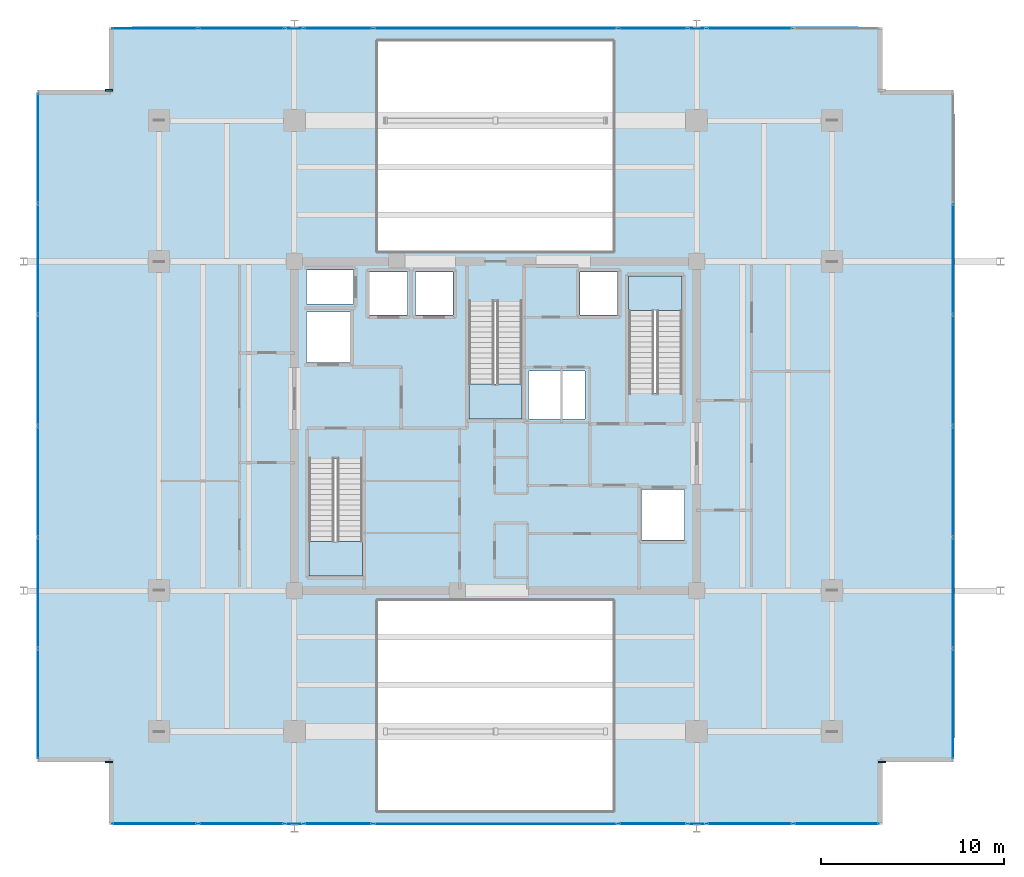
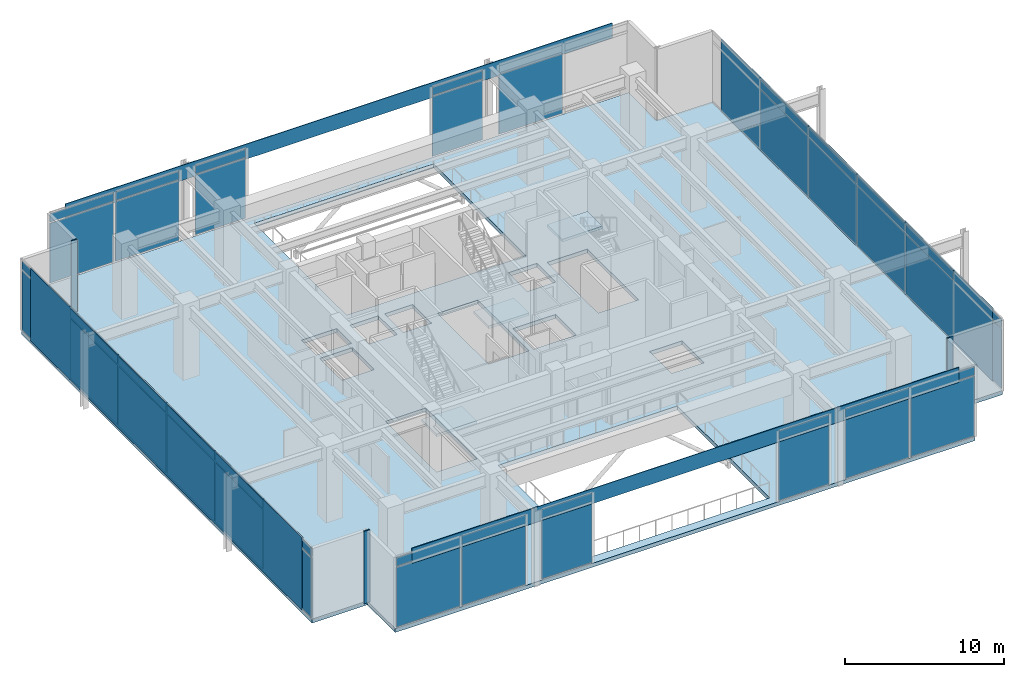
# One storey, part 18 of 25: 50 plates, 4 slabs, 13 elements without a shape of their own.
"""IFC4 building model written with IfcOpenShell, lengths in metres."""

from ifc_helpers import new_model, si_unit, direction, frame, origin, origin_2d, place, context, subcontext, project, spatial, polyline, rectangle, outline, extrude, material, layer, layer_set, type_object, element, aggregate, save


model = new_model("IFC4")

# Units and contexts
model_context = context("Model", 3, precision=1e-05, world=origin(), true_north=direction((0.0, 1.0)))
body_context = subcontext(model_context, "Body", "Model", "MODEL_VIEW")
ifc_project = project(units=[si_unit("LENGTHUNIT", "METRE"), si_unit("AREAUNIT", "SQUARE_METRE"), si_unit("VOLUMEUNIT", "CUBIC_METRE"), si_unit("PLANEANGLEUNIT", "RADIAN"), si_unit("MASSUNIT", "GRAM", prefix="KILO")], contexts=[model_context])

# Site, building, storey
site_placement = place(None, origin())
site = spatial("IfcSite", under=ifc_project, at=site_placement, CompositionType="ELEMENT")
building_placement = place(site_placement, origin())
building = spatial("IfcBuilding", under=site, at=building_placement, Name="Kovane Verandah Tower", CompositionType="ELEMENT")
storey_placement = place(building_placement, frame((0.0, 0.0, 295.199951171875)))
storey = spatial("IfcBuildingStorey", under=building, at=storey_placement, Name="L69", CompositionType="ELEMENT", Elevation=295.199951171875)

# Curtain wall, plates
ifc_material_1 = material(Name="Champagne Anodised Aluminium Frame with Low-E Clear Laminated Glass", Category="aluminium")
curtain_wall_type = type_object("IfcCurtainWallType", Name="CW-SYS-05-HIGH", PredefinedType="NOTDEFINED", material=ifc_material_1)
curtain_wall_1_placement = place(storey_placement, origin())
curtain_wall_1 = element("IfcCurtainWall", 1, at=curtain_wall_1_placement, inside=storey, type_object=curtain_wall_type, Name="L69 South-West Wind-Portal Curtain Wall 1", PredefinedType="NOTDEFINED")
ifc_material_2 = material(Name="Pale Champagne Anodised Aluminium Insulated Spandrel", Category="aluminium")
ifc_layer_1 = layer(ifc_material_2, 0.0400390625)
ifc_layer_set_1 = layer_set([ifc_layer_1], Name="Pale Champagne Anodised Aluminium Insulated Spandrel")
plate_type_1 = type_object("IfcPlateType", Name="PL-CW-SPD-40", PredefinedType="SHEET", material=ifc_layer_set_1)
plate_1_placement = place(storey_placement, frame((21.356689453125, 5.75830078125, 4.77001953125), z_axis=(0.0, 0.0, 1.0), x_axis=(1.0, 0.0, 0.0)))
plate_1 = element("IfcPlate", 2, at=plate_1_placement, type_object=plate_type_1, Name="L69 South-West Wind-Portal Curtain Wall 1 Spandrel Panel 1", PredefinedType="SHEET", context=body_context, shape_type="SweptSolid", body=[
    extrude(rectangle(XDim=4.60888671875, YDim=0.0400390625, at=origin_2d()), origin(), (0.0, 0.0, 1.0), 0.639892578125),
])
plate_2_placement = place(storey_placement, frame((26.10546875, 5.75830078125, 4.77001953125), z_axis=(0.0, 0.0, 1.0), x_axis=(1.0, 0.0, 0.0)))
plate_2 = element("IfcPlate", 3, at=plate_2_placement, type_object=plate_type_1, Name="L69 South-West Wind-Portal Curtain Wall 1 Spandrel Panel 2", PredefinedType="SHEET", context=body_context, shape_type="SweptSolid", body=[
    extrude(rectangle(XDim=4.60888671875, YDim=0.0400390625, at=origin_2d()), origin(), (0.0, 0.0, 1.0), 0.639892578125),
])

# Curtain wall, plate
curtain_wall_2_placement = place(storey_placement, origin())
curtain_wall_2 = element("IfcCurtainWall", 4, at=curtain_wall_2_placement, inside=storey, type_object=curtain_wall_type, Name="L69 South-West Wind-Portal Curtain Wall 2", PredefinedType="NOTDEFINED")
plate_3_placement = place(storey_placement, frame((31.409912109375, 5.75830078125, 4.77001953125), z_axis=(0.0, 0.0, 1.0), x_axis=(1.0, 0.0, 0.0)))
plate_3 = element("IfcPlate", 5, at=plate_3_placement, type_object=plate_type_1, Name="L69 South-West Wind-Portal Curtain Wall 2 Spandrel Panel 1", PredefinedType="SHEET", context=body_context, shape_type="SweptSolid", body=[
    extrude(rectangle(XDim=3.639892578125, YDim=0.0400390625, at=origin_2d()), origin(), (0.0, 0.0, 1.0), 0.639892578125),
])

curtain_wall_3_placement = place(storey_placement, origin())
curtain_wall_3 = element("IfcCurtainWall", 6, at=curtain_wall_3_placement, inside=storey, type_object=curtain_wall_type, Name="L69 South-East Wind-Portal Curtain Wall 1", PredefinedType="NOTDEFINED")
plate_4_placement = place(storey_placement, frame((48.590087890625, 5.75830078125, 4.77001953125), z_axis=(0.0, 0.0, 1.0), x_axis=(1.0, 0.0, 0.0)))
plate_4 = element("IfcPlate", 7, at=plate_4_placement, type_object=plate_type_1, Name="L69 South-East Wind-Portal Curtain Wall 1 Spandrel Panel 1", PredefinedType="SHEET", context=body_context, shape_type="SweptSolid", body=[
    extrude(rectangle(XDim=3.639892578125, YDim=0.0400390625, at=origin_2d()), origin(), (0.0, 0.0, 1.0), 0.639892578125),
])

# Curtain wall, plates
curtain_wall_4_placement = place(storey_placement, origin())
curtain_wall_4 = element("IfcCurtainWall", 8, at=curtain_wall_4_placement, inside=storey, type_object=curtain_wall_type, Name="L69 South-East Wind-Portal Curtain Wall 2", PredefinedType="NOTDEFINED")
plate_5_placement = place(storey_placement, frame((53.89453125, 5.75830078125, 4.77001953125), z_axis=(0.0, 0.0, 1.0), x_axis=(1.0, 0.0, 0.0)))
plate_5 = element("IfcPlate", 9, at=plate_5_placement, type_object=plate_type_1, Name="L69 South-East Wind-Portal Curtain Wall 2 Spandrel Panel 1", PredefinedType="SHEET", context=body_context, shape_type="SweptSolid", body=[
    extrude(rectangle(XDim=4.60888671875, YDim=0.0400390625, at=origin_2d()), origin(), (0.0, 0.0, 1.0), 0.639892578125),
])
plate_6_placement = place(storey_placement, frame((58.643310546875, 5.75830078125, 4.77001953125), z_axis=(0.0, 0.0, 1.0), x_axis=(1.0, 0.0, 0.0)))
plate_6 = element("IfcPlate", 10, at=plate_6_placement, type_object=plate_type_1, Name="L69 South-East Wind-Portal Curtain Wall 2 Spandrel Panel 2", PredefinedType="SHEET", context=body_context, shape_type="SweptSolid", body=[
    extrude(rectangle(XDim=4.60888671875, YDim=0.0400390625, at=origin_2d()), origin(), (0.0, 0.0, 1.0), 0.639892578125),
])

curtain_wall_5_placement = place(storey_placement, origin())
curtain_wall_5 = element("IfcCurtainWall", 11, at=curtain_wall_5_placement, inside=storey, type_object=curtain_wall_type, Name="L69 E Unitised Curtain Wall", PredefinedType="NOTDEFINED")
plate_7_placement = place(storey_placement, frame((65.017822265625, 12.298583984375, 4.77001953125), z_axis=(0.0, 0.0, 1.0), x_axis=(0.0, 1.0, 0.0)))
plate_7 = element("IfcPlate", 12, at=plate_7_placement, type_object=plate_type_1, Name="L69 E Unitised Curtain Wall Spandrel Panel 1", PredefinedType="SHEET", context=body_context, shape_type="SweptSolid", body=[
    extrude(rectangle(XDim=5.9404296875, YDim=0.0400390625, at=origin_2d()), origin(), (0.0, 0.0, 1.0), 0.639892578125),
])
plate_8_placement = place(storey_placement, frame((65.017822265625, 18.379150390625, 4.77001953125), z_axis=(0.0, 0.0, 1.0), x_axis=(0.0, 1.0, 0.0)))
plate_8 = element("IfcPlate", 13, at=plate_8_placement, type_object=plate_type_1, Name="L69 E Unitised Curtain Wall Spandrel Panel 2", PredefinedType="SHEET", context=body_context, shape_type="SweptSolid", body=[
    extrude(rectangle(XDim=5.9404296875, YDim=0.0400390625, at=origin_2d()), origin(), (0.0, 0.0, 1.0), 0.639892578125),
])
plate_9_placement = place(storey_placement, frame((65.017822265625, 24.459716796875, 4.77001953125), z_axis=(0.0, 0.0, 1.0), x_axis=(0.0, 1.0, 0.0)))
plate_9 = element("IfcPlate", 14, at=plate_9_placement, type_object=plate_type_1, Name="L69 E Unitised Curtain Wall Spandrel Panel 3", PredefinedType="SHEET", context=body_context, shape_type="SweptSolid", body=[
    extrude(rectangle(XDim=5.9404296875, YDim=0.0400390625, at=origin_2d()), origin(), (0.0, 0.0, 1.0), 0.639892578125),
])
plate_10_placement = place(storey_placement, frame((65.017822265625, 30.540283203125, 4.77001953125), z_axis=(0.0, 0.0, 1.0), x_axis=(0.0, 1.0, 0.0)))
plate_10 = element("IfcPlate", 15, at=plate_10_placement, type_object=plate_type_1, Name="L69 E Unitised Curtain Wall Spandrel Panel 4", PredefinedType="SHEET", context=body_context, shape_type="SweptSolid", body=[
    extrude(rectangle(XDim=5.9404296875, YDim=0.0400390625, at=origin_2d()), origin(), (0.0, 0.0, 1.0), 0.639892578125),
])
plate_11_placement = place(storey_placement, frame((65.017822265625, 36.620849609375, 4.77001953125), z_axis=(0.0, 0.0, 1.0), x_axis=(0.0, 1.0, 0.0)))
plate_11 = element("IfcPlate", 16, at=plate_11_placement, type_object=plate_type_1, Name="L69 E Unitised Curtain Wall Spandrel Panel 5", PredefinedType="SHEET", context=body_context, shape_type="SweptSolid", body=[
    extrude(rectangle(XDim=5.9404296875, YDim=0.0400390625, at=origin_2d()), origin(), (0.0, 0.0, 1.0), 0.639892578125),
])

# Curtain wall, plate
curtain_wall_6_placement = place(storey_placement, origin())
curtain_wall_6 = element("IfcCurtainWall", 17, at=curtain_wall_6_placement, inside=storey, type_object=curtain_wall_type, Name="L69 North-East Wind-Portal Curtain Wall 2", PredefinedType="NOTDEFINED")
plate_12_placement = place(storey_placement, frame((48.590087890625, 49.24169921875, 4.77001953125), z_axis=(0.0, 0.0, 1.0), x_axis=(-1.0, 0.0, 0.0)))
plate_12 = element("IfcPlate", 18, at=plate_12_placement, type_object=plate_type_1, Name="L69 North-East Wind-Portal Curtain Wall 2 Spandrel Panel 1", PredefinedType="SHEET", context=body_context, shape_type="SweptSolid", body=[
    extrude(rectangle(XDim=3.639892578125, YDim=0.0400390625, at=origin_2d()), origin(), (0.0, 0.0, 1.0), 0.639892578125),
])

curtain_wall_7_placement = place(storey_placement, origin())
curtain_wall_7 = element("IfcCurtainWall", 19, at=curtain_wall_7_placement, inside=storey, type_object=curtain_wall_type, Name="L69 North-West Wind-Portal Curtain Wall 1", PredefinedType="NOTDEFINED")
plate_13_placement = place(storey_placement, frame((31.409912109375, 49.24169921875, 4.77001953125), z_axis=(0.0, 0.0, 1.0), x_axis=(-1.0, 0.0, 0.0)))
plate_13 = element("IfcPlate", 20, at=plate_13_placement, type_object=plate_type_1, Name="L69 North-West Wind-Portal Curtain Wall 1 Spandrel Panel 1", PredefinedType="SHEET", context=body_context, shape_type="SweptSolid", body=[
    extrude(rectangle(XDim=3.639892578125, YDim=0.0400390625, at=origin_2d()), origin(), (0.0, 0.0, 1.0), 0.639892578125),
])

# Curtain wall, plates
curtain_wall_8_placement = place(storey_placement, origin())
curtain_wall_8 = element("IfcCurtainWall", 21, at=curtain_wall_8_placement, inside=storey, type_object=curtain_wall_type, Name="L69 North-West Wind-Portal Curtain Wall 2", PredefinedType="NOTDEFINED")
plate_14_placement = place(storey_placement, frame((26.10546875, 49.24169921875, 4.77001953125), z_axis=(0.0, 0.0, 1.0), x_axis=(-1.0, 0.0, 0.0)))
plate_14 = element("IfcPlate", 22, at=plate_14_placement, type_object=plate_type_1, Name="L69 North-West Wind-Portal Curtain Wall 2 Spandrel Panel 1", PredefinedType="SHEET", context=body_context, shape_type="SweptSolid", body=[
    extrude(rectangle(XDim=4.60888671875, YDim=0.0400390625, at=origin_2d()), origin(), (0.0, 0.0, 1.0), 0.639892578125),
])
plate_15_placement = place(storey_placement, frame((21.356689453125, 49.24169921875, 4.77001953125), z_axis=(0.0, 0.0, 1.0), x_axis=(-1.0, 0.0, 0.0)))
plate_15 = element("IfcPlate", 23, at=plate_15_placement, type_object=plate_type_1, Name="L69 North-West Wind-Portal Curtain Wall 2 Spandrel Panel 2", PredefinedType="SHEET", context=body_context, shape_type="SweptSolid", body=[
    extrude(rectangle(XDim=4.60888671875, YDim=0.0400390625, at=origin_2d()), origin(), (0.0, 0.0, 1.0), 0.639892578125),
])

curtain_wall_9_placement = place(storey_placement, origin())
curtain_wall_9 = element("IfcCurtainWall", 24, at=curtain_wall_9_placement, inside=storey, type_object=curtain_wall_type, Name="L69 W Unitised Curtain Wall", PredefinedType="NOTDEFINED")
plate_16_placement = place(storey_placement, frame((14.982177734375, 42.701416015625, 4.77001953125), z_axis=(0.0, 0.0, 1.0), x_axis=(0.0, -1.0, 0.0)))
plate_16 = element("IfcPlate", 25, at=plate_16_placement, type_object=plate_type_1, Name="L69 W Unitised Curtain Wall Spandrel Panel 1", PredefinedType="SHEET", context=body_context, shape_type="SweptSolid", body=[
    extrude(rectangle(XDim=5.9404296875, YDim=0.0400390625, at=origin_2d()), origin(), (0.0, 0.0, 1.0), 0.639892578125),
])
plate_17_placement = place(storey_placement, frame((14.982177734375, 36.620849609375, 4.77001953125), z_axis=(0.0, 0.0, 1.0), x_axis=(0.0, -1.0, 0.0)))
plate_17 = element("IfcPlate", 26, at=plate_17_placement, type_object=plate_type_1, Name="L69 W Unitised Curtain Wall Spandrel Panel 2", PredefinedType="SHEET", context=body_context, shape_type="SweptSolid", body=[
    extrude(rectangle(XDim=5.9404296875, YDim=0.0400390625, at=origin_2d()), origin(), (0.0, 0.0, 1.0), 0.639892578125),
])
plate_18_placement = place(storey_placement, frame((14.982177734375, 30.540283203125, 4.77001953125), z_axis=(0.0, 0.0, 1.0), x_axis=(0.0, -1.0, 0.0)))
plate_18 = element("IfcPlate", 27, at=plate_18_placement, type_object=plate_type_1, Name="L69 W Unitised Curtain Wall Spandrel Panel 3", PredefinedType="SHEET", context=body_context, shape_type="SweptSolid", body=[
    extrude(rectangle(XDim=5.9404296875, YDim=0.0400390625, at=origin_2d()), origin(), (0.0, 0.0, 1.0), 0.639892578125),
])
plate_19_placement = place(storey_placement, frame((14.982177734375, 24.459716796875, 4.77001953125), z_axis=(0.0, 0.0, 1.0), x_axis=(0.0, -1.0, 0.0)))
plate_19 = element("IfcPlate", 28, at=plate_19_placement, type_object=plate_type_1, Name="L69 W Unitised Curtain Wall Spandrel Panel 4", PredefinedType="SHEET", context=body_context, shape_type="SweptSolid", body=[
    extrude(rectangle(XDim=5.9404296875, YDim=0.0400390625, at=origin_2d()), origin(), (0.0, 0.0, 1.0), 0.639892578125),
])
plate_20_placement = place(storey_placement, frame((14.982177734375, 18.379150390625, 4.77001953125), z_axis=(0.0, 0.0, 1.0), x_axis=(0.0, -1.0, 0.0)))
plate_20 = element("IfcPlate", 29, at=plate_20_placement, type_object=plate_type_1, Name="L69 W Unitised Curtain Wall Spandrel Panel 5", PredefinedType="SHEET", context=body_context, shape_type="SweptSolid", body=[
    extrude(rectangle(XDim=5.9404296875, YDim=0.0400390625, at=origin_2d()), origin(), (0.0, 0.0, 1.0), 0.639892578125),
])
plate_21_placement = place(storey_placement, frame((14.982177734375, 12.298583984375, 4.77001953125), z_axis=(0.0, 0.0, 1.0), x_axis=(0.0, -1.0, 0.0)))
plate_21 = element("IfcPlate", 30, at=plate_21_placement, type_object=plate_type_1, Name="L69 W Unitised Curtain Wall Spandrel Panel 6", PredefinedType="SHEET", context=body_context, shape_type="SweptSolid", body=[
    extrude(rectangle(XDim=5.9404296875, YDim=0.0400390625, at=origin_2d()), origin(), (0.0, 0.0, 1.0), 0.639892578125),
])

# Plate
ifc_material_3 = material(Name="Clear Low-E Laminated Double Glazing", Category="glass")
ifc_layer_2 = layer(ifc_material_3, 0.031982421875)
ifc_layer_set_2 = layer_set([ifc_layer_2], Name="Clear Low-E Laminated Double Glazing")
plate_type_2 = type_object("IfcPlateType", Name="PL-CW-VIS-32", PredefinedType="CURTAIN_PANEL", material=ifc_layer_set_2)
plate_22_placement = place(storey_placement, frame((21.356689453125, 5.75830078125, 0.10009765625), z_axis=(0.0, 0.0, 1.0), x_axis=(1.0, 0.0, 0.0)))
plate_22 = element("IfcPlate", 31, at=plate_22_placement, type_object=plate_type_2, Name="L69 South-West Wind-Portal Curtain Wall 1 Vision Panel 1", PredefinedType="CURTAIN_PANEL", context=body_context, shape_type="SweptSolid", body=[
    extrude(rectangle(XDim=4.60888671875, YDim=0.031982421875, at=origin_2d()), origin(), (0.0, 0.0, 1.0), 4.570068359375),
])

plate_23_placement = place(storey_placement, frame((26.10546875, 5.75830078125, 0.10009765625), z_axis=(0.0, 0.0, 1.0), x_axis=(1.0, 0.0, 0.0)))
plate_23 = element("IfcPlate", 32, at=plate_23_placement, type_object=plate_type_2, Name="L69 South-West Wind-Portal Curtain Wall 1 Vision Panel 2", PredefinedType="CURTAIN_PANEL", context=body_context, shape_type="SweptSolid", body=[
    extrude(rectangle(XDim=4.60888671875, YDim=0.031982421875, at=origin_2d()), origin(), (0.0, 0.0, 1.0), 4.570068359375),
])

aggregate(curtain_wall_1, [plate_22, plate_1, plate_23, plate_2])

plate_24_placement = place(storey_placement, frame((31.409912109375, 5.75830078125, 0.10009765625), z_axis=(0.0, 0.0, 1.0), x_axis=(1.0, 0.0, 0.0)))
plate_24 = element("IfcPlate", 33, at=plate_24_placement, type_object=plate_type_2, Name="L69 South-West Wind-Portal Curtain Wall 2 Vision Panel 1", PredefinedType="CURTAIN_PANEL", context=body_context, shape_type="SweptSolid", body=[
    extrude(rectangle(XDim=3.639892578125, YDim=0.031982421875, at=origin_2d()), origin(), (0.0, 0.0, 1.0), 4.570068359375),
])

aggregate(curtain_wall_2, [plate_24, plate_3])

plate_25_placement = place(storey_placement, frame((48.590087890625, 5.75830078125, 0.10009765625), z_axis=(0.0, 0.0, 1.0), x_axis=(1.0, 0.0, 0.0)))
plate_25 = element("IfcPlate", 34, at=plate_25_placement, type_object=plate_type_2, Name="L69 South-East Wind-Portal Curtain Wall 1 Vision Panel 1", PredefinedType="CURTAIN_PANEL", context=body_context, shape_type="SweptSolid", body=[
    extrude(rectangle(XDim=3.639892578125, YDim=0.031982421875, at=origin_2d()), origin(), (0.0, 0.0, 1.0), 4.570068359375),
])

aggregate(curtain_wall_3, [plate_25, plate_4])

plate_26_placement = place(storey_placement, frame((53.89453125, 5.75830078125, 0.10009765625), z_axis=(0.0, 0.0, 1.0), x_axis=(1.0, 0.0, 0.0)))
plate_26 = element("IfcPlate", 35, at=plate_26_placement, type_object=plate_type_2, Name="L69 South-East Wind-Portal Curtain Wall 2 Vision Panel 1", PredefinedType="CURTAIN_PANEL", context=body_context, shape_type="SweptSolid", body=[
    extrude(rectangle(XDim=4.60888671875, YDim=0.031982421875, at=origin_2d()), origin(), (0.0, 0.0, 1.0), 4.570068359375),
])

plate_27_placement = place(storey_placement, frame((58.643310546875, 5.75830078125, 0.10009765625), z_axis=(0.0, 0.0, 1.0), x_axis=(1.0, 0.0, 0.0)))
plate_27 = element("IfcPlate", 36, at=plate_27_placement, type_object=plate_type_2, Name="L69 South-East Wind-Portal Curtain Wall 2 Vision Panel 2", PredefinedType="CURTAIN_PANEL", context=body_context, shape_type="SweptSolid", body=[
    extrude(rectangle(XDim=4.60888671875, YDim=0.031982421875, at=origin_2d()), origin(), (0.0, 0.0, 1.0), 4.570068359375),
])

aggregate(curtain_wall_4, [plate_26, plate_5, plate_27, plate_6])

plate_28_placement = place(storey_placement, frame((65.017822265625, 12.298583984375, 0.10009765625), z_axis=(0.0, 0.0, 1.0), x_axis=(0.0, 1.0, 0.0)))
plate_28 = element("IfcPlate", 37, at=plate_28_placement, type_object=plate_type_2, Name="L69 E Unitised Curtain Wall Vision Panel 1", PredefinedType="CURTAIN_PANEL", context=body_context, shape_type="SweptSolid", body=[
    extrude(rectangle(XDim=5.9404296875, YDim=0.031982421875, at=origin_2d()), origin(), (0.0, 0.0, 1.0), 4.570068359375),
])

plate_29_placement = place(storey_placement, frame((65.017822265625, 18.379150390625, 0.10009765625), z_axis=(0.0, 0.0, 1.0), x_axis=(0.0, 1.0, 0.0)))
plate_29 = element("IfcPlate", 38, at=plate_29_placement, type_object=plate_type_2, Name="L69 E Unitised Curtain Wall Vision Panel 2", PredefinedType="CURTAIN_PANEL", context=body_context, shape_type="SweptSolid", body=[
    extrude(rectangle(XDim=5.9404296875, YDim=0.031982421875, at=origin_2d()), origin(), (0.0, 0.0, 1.0), 4.570068359375),
])

plate_30_placement = place(storey_placement, frame((65.017822265625, 24.459716796875, 0.10009765625), z_axis=(0.0, 0.0, 1.0), x_axis=(0.0, 1.0, 0.0)))
plate_30 = element("IfcPlate", 39, at=plate_30_placement, type_object=plate_type_2, Name="L69 E Unitised Curtain Wall Vision Panel 3", PredefinedType="CURTAIN_PANEL", context=body_context, shape_type="SweptSolid", body=[
    extrude(rectangle(XDim=5.9404296875, YDim=0.031982421875, at=origin_2d()), origin(), (0.0, 0.0, 1.0), 4.570068359375),
])

plate_31_placement = place(storey_placement, frame((65.017822265625, 30.540283203125, 0.10009765625), z_axis=(0.0, 0.0, 1.0), x_axis=(0.0, 1.0, 0.0)))
plate_31 = element("IfcPlate", 40, at=plate_31_placement, type_object=plate_type_2, Name="L69 E Unitised Curtain Wall Vision Panel 4", PredefinedType="CURTAIN_PANEL", context=body_context, shape_type="SweptSolid", body=[
    extrude(rectangle(XDim=5.9404296875, YDim=0.031982421875, at=origin_2d()), origin(), (0.0, 0.0, 1.0), 4.570068359375),
])

plate_32_placement = place(storey_placement, frame((65.017822265625, 36.620849609375, 0.10009765625), z_axis=(0.0, 0.0, 1.0), x_axis=(0.0, 1.0, 0.0)))
plate_32 = element("IfcPlate", 41, at=plate_32_placement, type_object=plate_type_2, Name="L69 E Unitised Curtain Wall Vision Panel 5", PredefinedType="CURTAIN_PANEL", context=body_context, shape_type="SweptSolid", body=[
    extrude(rectangle(XDim=5.9404296875, YDim=0.031982421875, at=origin_2d()), origin(), (0.0, 0.0, 1.0), 4.570068359375),
])

aggregate(curtain_wall_5, [plate_28, plate_7, plate_29, plate_8, plate_30, plate_9, plate_31, plate_10, plate_32, plate_11])

# Curtain wall, plate
curtain_wall_10_placement = place(storey_placement, origin())
curtain_wall_10 = element("IfcCurtainWall", 42, at=curtain_wall_10_placement, inside=storey, type_object=curtain_wall_type, Name="L69 North-East Wind-Portal Curtain Wall 1", PredefinedType="NOTDEFINED")
plate_33_placement = place(storey_placement, frame((53.89453125, 49.24169921875, 0.10009765625), z_axis=(0.0, 0.0, 1.0), x_axis=(-1.0, 0.0, 0.0)))
plate_33 = element("IfcPlate", 43, at=plate_33_placement, type_object=plate_type_2, Name="L69 North-East Wind-Portal Curtain Wall 1 Vision Panel 2", PredefinedType="CURTAIN_PANEL", context=body_context, shape_type="SweptSolid", body=[
    extrude(rectangle(XDim=4.60888671875, YDim=0.031982421875, at=origin_2d()), origin(), (0.0, 0.0, 1.0), 4.570068359375),
])
aggregate(curtain_wall_10, [plate_33])

# Plate
plate_34_placement = place(storey_placement, frame((48.590087890625, 49.24169921875, 0.10009765625), z_axis=(0.0, 0.0, 1.0), x_axis=(-1.0, 0.0, 0.0)))
plate_34 = element("IfcPlate", 44, at=plate_34_placement, type_object=plate_type_2, Name="L69 North-East Wind-Portal Curtain Wall 2 Vision Panel 1", PredefinedType="CURTAIN_PANEL", context=body_context, shape_type="SweptSolid", body=[
    extrude(rectangle(XDim=3.639892578125, YDim=0.031982421875, at=origin_2d()), origin(), (0.0, 0.0, 1.0), 4.570068359375),
])

aggregate(curtain_wall_6, [plate_34, plate_12])

plate_35_placement = place(storey_placement, frame((31.409912109375, 49.24169921875, 0.10009765625), z_axis=(0.0, 0.0, 1.0), x_axis=(-1.0, 0.0, 0.0)))
plate_35 = element("IfcPlate", 45, at=plate_35_placement, type_object=plate_type_2, Name="L69 North-West Wind-Portal Curtain Wall 1 Vision Panel 1", PredefinedType="CURTAIN_PANEL", context=body_context, shape_type="SweptSolid", body=[
    extrude(rectangle(XDim=3.639892578125, YDim=0.031982421875, at=origin_2d()), origin(), (0.0, 0.0, 1.0), 4.570068359375),
])

aggregate(curtain_wall_7, [plate_35, plate_13])

plate_36_placement = place(storey_placement, frame((26.10546875, 49.24169921875, 0.10009765625), z_axis=(0.0, 0.0, 1.0), x_axis=(-1.0, 0.0, 0.0)))
plate_36 = element("IfcPlate", 46, at=plate_36_placement, type_object=plate_type_2, Name="L69 North-West Wind-Portal Curtain Wall 2 Vision Panel 1", PredefinedType="CURTAIN_PANEL", context=body_context, shape_type="SweptSolid", body=[
    extrude(rectangle(XDim=4.60888671875, YDim=0.031982421875, at=origin_2d()), origin(), (0.0, 0.0, 1.0), 4.570068359375),
])

plate_37_placement = place(storey_placement, frame((21.356689453125, 49.24169921875, 0.10009765625), z_axis=(0.0, 0.0, 1.0), x_axis=(-1.0, 0.0, 0.0)))
plate_37 = element("IfcPlate", 47, at=plate_37_placement, type_object=plate_type_2, Name="L69 North-West Wind-Portal Curtain Wall 2 Vision Panel 2", PredefinedType="CURTAIN_PANEL", context=body_context, shape_type="SweptSolid", body=[
    extrude(rectangle(XDim=4.60888671875, YDim=0.031982421875, at=origin_2d()), origin(), (0.0, 0.0, 1.0), 4.570068359375),
])

aggregate(curtain_wall_8, [plate_36, plate_14, plate_37, plate_15])

plate_38_placement = place(storey_placement, frame((14.982177734375, 42.701416015625, 0.10009765625), z_axis=(0.0, 0.0, 1.0), x_axis=(0.0, -1.0, 0.0)))
plate_38 = element("IfcPlate", 48, at=plate_38_placement, type_object=plate_type_2, Name="L69 W Unitised Curtain Wall Vision Panel 1", PredefinedType="CURTAIN_PANEL", context=body_context, shape_type="SweptSolid", body=[
    extrude(rectangle(XDim=5.9404296875, YDim=0.031982421875, at=origin_2d()), origin(), (0.0, 0.0, 1.0), 4.570068359375),
])

plate_39_placement = place(storey_placement, frame((14.982177734375, 36.620849609375, 0.10009765625), z_axis=(0.0, 0.0, 1.0), x_axis=(0.0, -1.0, 0.0)))
plate_39 = element("IfcPlate", 49, at=plate_39_placement, type_object=plate_type_2, Name="L69 W Unitised Curtain Wall Vision Panel 2", PredefinedType="CURTAIN_PANEL", context=body_context, shape_type="SweptSolid", body=[
    extrude(rectangle(XDim=5.9404296875, YDim=0.031982421875, at=origin_2d()), origin(), (0.0, 0.0, 1.0), 4.570068359375),
])

plate_40_placement = place(storey_placement, frame((14.982177734375, 30.540283203125, 0.10009765625), z_axis=(0.0, 0.0, 1.0), x_axis=(0.0, -1.0, 0.0)))
plate_40 = element("IfcPlate", 50, at=plate_40_placement, type_object=plate_type_2, Name="L69 W Unitised Curtain Wall Vision Panel 3", PredefinedType="CURTAIN_PANEL", context=body_context, shape_type="SweptSolid", body=[
    extrude(rectangle(XDim=5.9404296875, YDim=0.031982421875, at=origin_2d()), origin(), (0.0, 0.0, 1.0), 4.570068359375),
])

plate_41_placement = place(storey_placement, frame((14.982177734375, 24.459716796875, 0.10009765625), z_axis=(0.0, 0.0, 1.0), x_axis=(0.0, -1.0, 0.0)))
plate_41 = element("IfcPlate", 51, at=plate_41_placement, type_object=plate_type_2, Name="L69 W Unitised Curtain Wall Vision Panel 4", PredefinedType="CURTAIN_PANEL", context=body_context, shape_type="SweptSolid", body=[
    extrude(rectangle(XDim=5.9404296875, YDim=0.031982421875, at=origin_2d()), origin(), (0.0, 0.0, 1.0), 4.570068359375),
])

plate_42_placement = place(storey_placement, frame((14.982177734375, 18.379150390625, 0.10009765625), z_axis=(0.0, 0.0, 1.0), x_axis=(0.0, -1.0, 0.0)))
plate_42 = element("IfcPlate", 52, at=plate_42_placement, type_object=plate_type_2, Name="L69 W Unitised Curtain Wall Vision Panel 5", PredefinedType="CURTAIN_PANEL", context=body_context, shape_type="SweptSolid", body=[
    extrude(rectangle(XDim=5.9404296875, YDim=0.031982421875, at=origin_2d()), origin(), (0.0, 0.0, 1.0), 4.570068359375),
])

plate_43_placement = place(storey_placement, frame((14.982177734375, 12.298583984375, 0.10009765625), z_axis=(0.0, 0.0, 1.0), x_axis=(0.0, -1.0, 0.0)))
plate_43 = element("IfcPlate", 53, at=plate_43_placement, type_object=plate_type_2, Name="L69 W Unitised Curtain Wall Vision Panel 6", PredefinedType="CURTAIN_PANEL", context=body_context, shape_type="SweptSolid", body=[
    extrude(rectangle(XDim=5.9404296875, YDim=0.031982421875, at=origin_2d()), origin(), (0.0, 0.0, 1.0), 4.570068359375),
])

aggregate(curtain_wall_9, [plate_38, plate_16, plate_39, plate_17, plate_40, plate_18, plate_41, plate_19, plate_42, plate_20, plate_43, plate_21])

# Plates
ifc_material_4 = material(Name="Timber-Toned Subtropical Aluminium Vertical Blade", Category="wood")
ifc_layer_3 = layer(ifc_material_4, 0.090087890625)
ifc_layer_set_3 = layer_set([ifc_layer_3], Name="Timber-Toned Subtropical Aluminium Vertical Blade")
plate_type_3 = type_object("IfcPlateType", Name="PL-FIN-90", PredefinedType="USERDEFINED", material=ifc_layer_set_3)
for number, where, z_axis, x_axis, name in (
    (54, (18.862060546875, 9.138427734375, -0.02001953125), (0.0, 0.0, 1.0), (1.0, 0.0, 0.0), "L69 SW Timber-Toned Vertical Corner Fin"),
    (55, (61.137939453125, 9.138427734375, -0.02001953125), (0.0, 0.0, 1.0), (1.0, 0.0, 0.0), "L69 SE Timber-Toned Vertical Corner Fin"),
    (56, (18.862060546875, 45.861572265625, -0.02001953125), (0.0, 0.0, 1.0), (1.0, 0.0, 0.0), "L69 NW Timber-Toned Vertical Corner Fin"),
):
    element("IfcPlate", number, at=place(storey_placement, frame(where, z_axis=z_axis, x_axis=x_axis)), inside=storey, type_object=plate_type_3, Name=name, ObjectType="FIN", PredefinedType="USERDEFINED", context=body_context, shape_type="SweptSolid", body=[
        extrude(rectangle(XDim=0.419921875, YDim=0.090087890625, at=origin_2d()), origin(), (0.0, 0.0, 1.0), 5.56005859375),
    ])
ifc_material_5 = material(Name="Cyclone-Rated Acoustic Storm Aluminium Louvre", Category="aluminium")
ifc_layer_4 = layer(ifc_material_5, 0.074951171875)
ifc_layer_set_4 = layer_set([ifc_layer_4], Name="Cyclone-Rated Acoustic Storm Aluminium Louvre")
plate_type_4 = type_object("IfcPlateType", Name="PL-LOUVRE-75", PredefinedType="USERDEFINED", material=ifc_layer_set_4)
for number, where, z_axis, x_axis, name in (
    (57, (65.032958984375, 27.5, -0.02001953125), (0.0, 0.0, 1.0), (0.0, 1.0, 0.0), "L69 E Cyclone Storm Louvre Bank"),
    (58, (14.967041015625, 27.5, -0.02001953125), (0.0, 0.0, 1.0), (0.0, -1.0, 0.0), "L69 W Cyclone Storm Louvre Bank"),
):
    element("IfcPlate", number, at=place(storey_placement, frame(where, z_axis=z_axis, x_axis=x_axis)), inside=storey, type_object=plate_type_4, Name=name, ObjectType="LOUVRE", PredefinedType="USERDEFINED", context=body_context, shape_type="SweptSolid", body=[
        extrude(rectangle(XDim=34.0830078125, YDim=0.074951171875, at=origin_2d()), origin(), (0.0, 0.0, 1.0), 5.56005859375),
    ])
ifc_material_6 = material(Name="Perforated Pale Champagne Anodised Aluminium Solar Screen", Category="aluminium")
ifc_layer_5 = layer(ifc_material_6, 0.050048828125)
ifc_layer_set_5 = layer_set([ifc_layer_5], Name="Perforated Pale Champagne Anodised Aluminium Solar Screen")
plate_type_5 = type_object("IfcPlateType", Name="PL-SCREEN-50", PredefinedType="USERDEFINED", material=ifc_layer_set_5)
for number, where, z_axis, x_axis, name in (
    (59, (40.0, 5.743408203125, 4.60009765625), (0.0, 0.0, 1.0), (1.0, 0.0, 0.0), "L69 S Perforated Champagne-Gold Solar Screen"),
    (60, (40.0, 49.256591796875, 4.60009765625), (0.0, 0.0, 1.0), (-1.0, 0.0, 0.0), "L69 N Perforated Champagne-Gold Solar Screen"),
):
    element("IfcPlate", number, at=place(storey_placement, frame(where, z_axis=z_axis, x_axis=x_axis)), inside=storey, type_object=plate_type_5, Name=name, ObjectType="SCREEN", PredefinedType="USERDEFINED", context=body_context, shape_type="SweptSolid", body=[
        extrude(rectangle(XDim=39.635986328125, YDim=0.050048828125, at=origin_2d()), origin(), (0.0, 0.0, 1.0), 1.14990234375),
    ])

# Slab
ifc_material_7 = material(Name="Concrete C60/75", Category="concrete")
ifc_layer_6 = layer(ifc_material_7, 0.300048828125)
ifc_layer_set_6 = layer_set([ifc_layer_6], Name="Concrete C60/75")
slab_type_1 = type_object("IfcSlabType", Name="SL-HVY-300", PredefinedType="FLOOR", material=ifc_layer_set_6)
slab_1_placement = place(storey_placement, frame((0.0, 0.0, -0.300048828125)))
element("IfcSlab", 61, at=slab_1_placement, inside=storey, type_object=slab_type_1, Name="L69 Wind-Portal Outrigger Floor Slab", PredefinedType="FLOOR", context=body_context, shape_type="SweptSolid", body=[
    extrude(outline(polyline([(18.982177734375, 5.75830078125), (61.017822265625, 5.75830078125), (61.017822265625, 9.25830078125), (65.017822265625, 9.25830078125), (65.017822265625, 45.74169921875), (61.017822265625, 45.74169921875), (61.017822265625, 49.24169921875), (18.982177734375, 49.24169921875), (18.982177734375, 45.74169921875), (14.982177734375, 45.74169921875), (14.982177734375, 9.25830078125), (18.982177734375, 9.25830078125), (18.982177734375, 5.75830078125)]), holes=[polyline([(29.800048828125, 19.300048828125), (32.719970703125, 19.300048828125), (32.719970703125, 25.705078125), (29.800048828125, 25.705078125), (29.800048828125, 19.300048828125)]), polyline([(47.280029296875, 29.294921875), (50.199951171875, 29.294921875), (50.199951171875, 35.699951171875), (47.280029296875, 35.699951171875), (47.280029296875, 29.294921875)]), polyline([(38.5400390625, 27.89990234375), (41.4599609375, 27.89990234375), (41.4599609375, 34.304931640625), (38.5400390625, 34.304931640625), (38.5400390625, 27.89990234375)]), polyline([(29.669921875, 30.969970703125), (32.030029296875, 30.969970703125), (32.030029296875, 33.72998046875), (29.669921875, 33.72998046875), (29.669921875, 30.969970703125)]), polyline([(47.969970703125, 21.27001953125), (50.330078125, 21.27001953125), (50.330078125, 24.030029296875), (47.969970703125, 24.030029296875), (47.969970703125, 21.27001953125)]), polyline([(29.669921875, 34.169921875), (32.22998046875, 34.169921875), (32.22998046875, 36.030029296875), (29.669921875, 36.030029296875), (29.669921875, 34.169921875)]), polyline([(33.1201171875, 33.570068359375), (35.179931640625, 33.570068359375), (35.179931640625, 35.929931640625), (33.1201171875, 35.929931640625), (33.1201171875, 33.570068359375)]), polyline([(35.6201171875, 33.570068359375), (37.679931640625, 33.570068359375), (37.679931640625, 35.929931640625), (35.6201171875, 35.929931640625), (35.6201171875, 33.570068359375)]), polyline([(44.6201171875, 33.570068359375), (46.679931640625, 33.570068359375), (46.679931640625, 35.929931640625), (44.6201171875, 35.929931640625), (44.6201171875, 33.570068359375)]), polyline([(41.800048828125, 27.89990234375), (44.89990234375, 27.89990234375), (44.89990234375, 30.5), (41.800048828125, 30.5), (41.800048828125, 27.89990234375)]), polyline([(33.5, 37.0), (46.5, 37.0), (46.5, 48.591552734375), (33.5, 48.591552734375), (33.5, 37.0)]), polyline([(33.5, 6.408447265625), (46.5, 6.408447265625), (46.5, 18.0), (33.5, 18.0), (33.5, 6.408447265625)])]), origin(), (0.0, 0.0, 1.0), 0.300048828125),
])

# Stair, slab
ifc_material_8 = material(Name="Concrete C45/55", Category="concrete")
stair_type = type_object("IfcStairType", Name="ST-CORE-1380", PredefinedType="HALF_TURN_STAIR", material=ifc_material_8)
stair_1_placement = place(storey_placement, origin())
stair_1 = element("IfcStair", 62, at=stair_1_placement, inside=storey, type_object=stair_type, Name="L69 Exit Stair ST-01", PredefinedType="HALF_TURN_STAIR")
ifc_layer_7 = layer(ifc_material_8, 0.199951171875)
ifc_layer_set_7 = layer_set([ifc_layer_7], Name="Concrete C45/55")
slab_type_2 = type_object("IfcSlabType", Name="SL-LAND-200", PredefinedType="LANDING", material=ifc_layer_set_7)
slab_2_placement = place(storey_placement, frame((0.0, 0.0, 2.699951171875)))
slab_2 = element("IfcSlab", 63, at=slab_2_placement, type_object=slab_type_2, Name="ST-01 landing 1", PredefinedType="LANDING", context=body_context, shape_type="SweptSolid", body=[
    extrude(outline(polyline([(29.800048828125, 21.18994140625), (29.800048828125, 19.300048828125), (32.719970703125, 19.300048828125), (32.719970703125, 21.18994140625), (29.800048828125, 21.18994140625)])), origin(), (0.0, 0.0, 1.0), 0.2001953125),
])
aggregate(stair_1, [slab_2])

stair_2_placement = place(storey_placement, origin())
stair_2 = element("IfcStair", 64, at=stair_2_placement, inside=storey, type_object=stair_type, Name="L69 Exit Stair ST-02", PredefinedType="HALF_TURN_STAIR")
slab_3_placement = place(storey_placement, frame((0.0, 0.0, 2.699951171875)))
slab_3 = element("IfcSlab", 65, at=slab_3_placement, type_object=slab_type_2, Name="ST-02 landing 1", PredefinedType="LANDING", context=body_context, shape_type="SweptSolid", body=[
    extrude(outline(polyline([(50.199951171875, 33.81005859375), (50.199951171875, 35.699951171875), (47.280029296875, 35.699951171875), (47.280029296875, 33.81005859375), (50.199951171875, 33.81005859375)])), origin(), (0.0, 0.0, 1.0), 0.2001953125),
])
aggregate(stair_2, [slab_3])

stair_3_placement = place(storey_placement, origin())
stair_3 = element("IfcStair", 66, at=stair_3_placement, inside=storey, type_object=stair_type, Name="L69 Exit Stair ST-03", PredefinedType="HALF_TURN_STAIR")
slab_4_placement = place(storey_placement, frame((0.0, 0.0, 2.699951171875)))
slab_4 = element("IfcSlab", 67, at=slab_4_placement, type_object=slab_type_2, Name="ST-03 landing 1", PredefinedType="LANDING", context=body_context, shape_type="SweptSolid", body=[
    extrude(outline(polyline([(38.5400390625, 29.7900390625), (38.5400390625, 27.89990234375), (41.4599609375, 27.89990234375), (41.4599609375, 29.7900390625), (38.5400390625, 29.7900390625)])), origin(), (0.0, 0.0, 1.0), 0.2001953125),
])
aggregate(stair_3, [slab_4])

save(model, "model.ifc")
